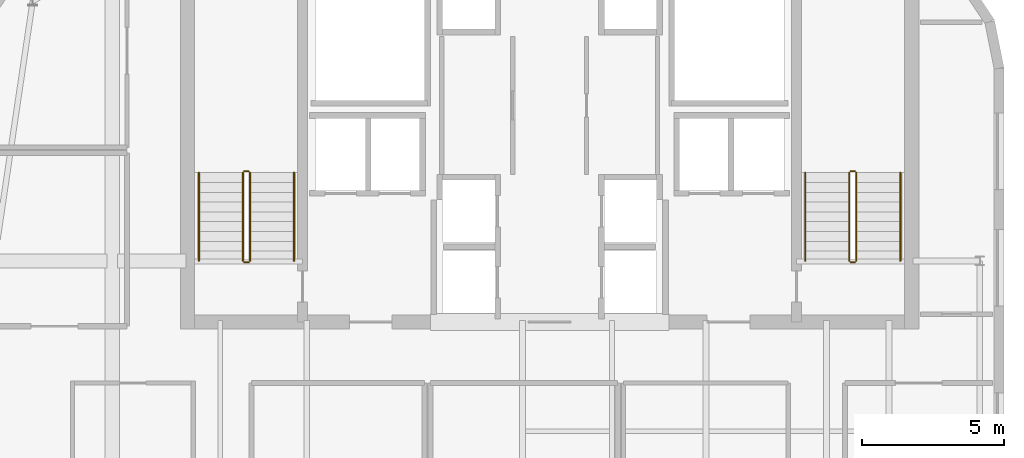
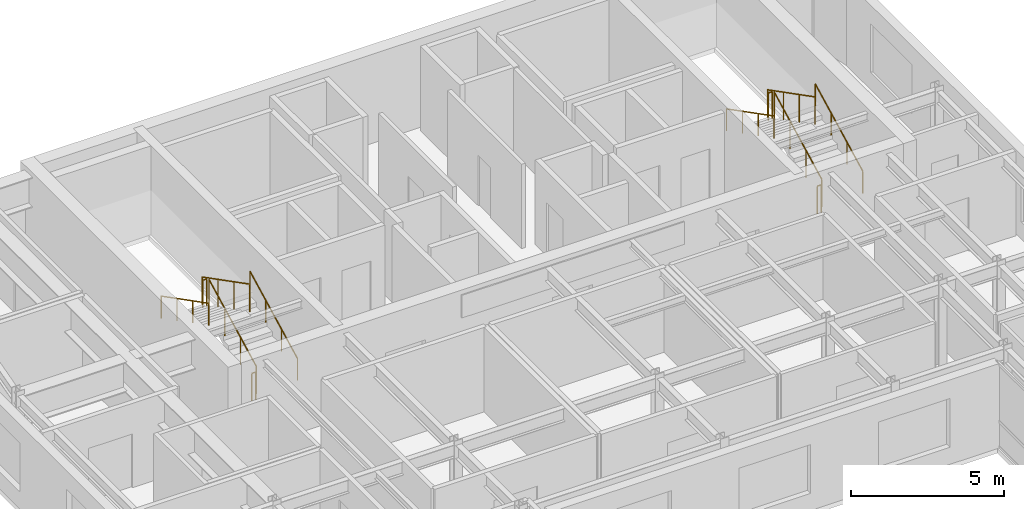
# One storey, part 18 of 18: 12 railings.
"""IFC4 building model written with IfcOpenShell, lengths in metres."""

from ifc_helpers import new_model, si_unit, direction, frame, origin, origin_2d, place, context, subcontext, project, spatial, circle, extrude, material, type_object, element, save


model = new_model("IFC4")

# Units and contexts
model_context = context("Model", 3, precision=1e-05, world=origin(), true_north=direction((0.0, 1.0)))
body_context = subcontext(model_context, "Body", "Model", "MODEL_VIEW")
ifc_project = project(units=[si_unit("LENGTHUNIT", "METRE"), si_unit("AREAUNIT", "SQUARE_METRE"), si_unit("VOLUMEUNIT", "CUBIC_METRE"), si_unit("PLANEANGLEUNIT", "RADIAN"), si_unit("MASSUNIT", "GRAM", prefix="KILO")], contexts=[model_context])

# Site, building, storey
site_placement = place(None, origin())
site = spatial("IfcSite", under=ifc_project, at=site_placement, CompositionType="ELEMENT")
building_placement = place(site_placement, origin())
building = spatial("IfcBuilding", under=site, at=building_placement, Name="Tolvann Quenvar Hotel", CompositionType="ELEMENT")
storey_placement = place(building_placement, frame((0.0, 0.0, 259.39990234375)))
storey = spatial("IfcBuildingStorey", under=building, at=storey_placement, Name="L69", CompositionType="ELEMENT", Elevation=259.39990234375)

# Railings
ifc_material = material(Name="Brushed 316 stainless steel balustrade and handrail", Category="steel")
railing_type_1 = type_object("IfcRailingType", Name="GUARDRAIL", PredefinedType="GUARDRAIL", material=ifc_material)
railing_1_placement = place(storey_placement, frame((12.449951171875, 34.0, 0.177490234375)))
element("IfcRailing", 1, at=railing_1_placement, inside=storey, type_object=railing_type_1, Name="L69 ST-C1 stair guard 1", PredefinedType="GUARDRAIL", context=body_context, shape_type="SweptSolid", body=[
    extrude(circle(Radius=0.02392578125, at=origin_2d()), frame((0.0, 0.0, 1.09619140625), z_axis=(0.0, 0.88919353882, 0.457531256332), x_axis=(-1.0, 0.0, 0.0)), (0.0, 0.0, 1.0), 3.491943359375),
    extrude(circle(Radius=0.02099609375, at=origin_2d()), origin(), (0.0, 0.0, 1.0), 1.072021484375),
    extrude(circle(Radius=0.02099609375, at=origin_2d()), frame((0.0, 1.034912109375, 0.532470703125)), (0.0, 0.0, 1.0), 1.072021484375),
    extrude(circle(Radius=0.02099609375, at=origin_2d()), frame((0.0, 2.070068359375, 1.065185546875)), (0.0, 0.0, 1.0), 1.072021484375),
    extrude(circle(Radius=0.02099609375, at=origin_2d()), frame((0.0, 3.10498046875, 1.59765625)), (0.0, 0.0, 1.0), 1.072021484375),
])
railing_2_placement = place(storey_placement, frame((12.39990234375, 37.155029296875, 1.775146484375)))
element("IfcRailing", 2, at=railing_2_placement, inside=storey, type_object=railing_type_1, Name="L69 ST-C1 stair guard 2", PredefinedType="GUARDRAIL", context=body_context, shape_type="SweptSolid", body=[
    extrude(circle(Radius=0.02392578125, at=origin_2d()), frame((0.0, 0.0, 1.09619140625), z_axis=(-1.0, 0.0, 0.0), x_axis=(0.0, -1.0, 0.0)), (0.0, 0.0, 1.0), 0.14990234375),
    extrude(circle(Radius=0.02099609375, at=origin_2d()), origin(), (0.0, 0.0, 1.0), 1.072021484375),
    extrude(circle(Radius=0.02099609375, at=origin_2d()), frame((-0.14990234375, 0.0, 0.0)), (0.0, 0.0, 1.0), 1.072021484375),
])
railing_3_placement = place(storey_placement, frame((12.199951171875, 37.10498046875, 1.95263671875)))
element("IfcRailing", 3, at=railing_3_placement, inside=storey, type_object=railing_type_1, Name="L69 ST-C1 stair guard 3", PredefinedType="GUARDRAIL", context=body_context, shape_type="SweptSolid", body=[
    extrude(circle(Radius=0.02392578125, at=origin_2d()), frame((0.0, 0.0, 1.09619140625), z_axis=(0.0, -0.889221982265, 0.45747597342), x_axis=(1.0, 0.0, 0.0)), (0.0, 0.0, 1.0), 3.49169921875),
    extrude(circle(Radius=0.02099609375, at=origin_2d()), origin(), (0.0, 0.0, 1.0), 1.072021484375),
    extrude(circle(Radius=0.02099609375, at=origin_2d()), frame((0.0, -1.034912109375, 0.532470703125)), (0.0, 0.0, 1.0), 1.072021484375),
    extrude(circle(Radius=0.02099609375, at=origin_2d()), frame((0.0, -2.070068359375, 1.06494140625)), (0.0, 0.0, 1.0), 1.072021484375),
    extrude(circle(Radius=0.02099609375, at=origin_2d()), frame((0.0, -3.10498046875, 1.597412109375)), (0.0, 0.0, 1.0), 1.072021484375),
])
railing_4_placement = place(storey_placement, frame((12.39990234375, 33.949951171875, 0.0)))
element("IfcRailing", 4, at=railing_4_placement, inside=storey, type_object=railing_type_1, Name="L69 ST-C1 stair guard 4", PredefinedType="GUARDRAIL", context=body_context, shape_type="SweptSolid", body=[
    extrude(circle(Radius=0.02392578125, at=origin_2d()), frame((0.0, 0.0, 1.09619140625), z_axis=(-1.0, 0.0, 0.0), x_axis=(0.0, -1.0, 0.0)), (0.0, 0.0, 1.0), 0.14990234375),
    extrude(circle(Radius=0.02099609375, at=origin_2d()), origin(), (0.0, 0.0, 1.0), 1.072021484375),
    extrude(circle(Radius=0.02099609375, at=origin_2d()), frame((-0.14990234375, 0.0, 0.0)), (0.0, 0.0, 1.0), 1.072021484375),
])
railing_5_placement = place(storey_placement, frame((33.800048828125, 34.0, 0.177490234375)))
element("IfcRailing", 5, at=railing_5_placement, inside=storey, type_object=railing_type_1, Name="L69 ST-C2 stair guard 1", PredefinedType="GUARDRAIL", context=body_context, shape_type="SweptSolid", body=[
    extrude(circle(Radius=0.02392578125, at=origin_2d()), frame((0.0, 0.0, 1.09619140625), z_axis=(0.0, 0.88919353882, 0.457531256332), x_axis=(-1.0, 0.0, 0.0)), (0.0, 0.0, 1.0), 3.491943359375),
    extrude(circle(Radius=0.02099609375, at=origin_2d()), origin(), (0.0, 0.0, 1.0), 1.072021484375),
    extrude(circle(Radius=0.02099609375, at=origin_2d()), frame((0.0, 1.034912109375, 0.532470703125)), (0.0, 0.0, 1.0), 1.072021484375),
    extrude(circle(Radius=0.02099609375, at=origin_2d()), frame((0.0, 2.070068359375, 1.065185546875)), (0.0, 0.0, 1.0), 1.072021484375),
    extrude(circle(Radius=0.02099609375, at=origin_2d()), frame((0.0, 3.10498046875, 1.59765625)), (0.0, 0.0, 1.0), 1.072021484375),
])
railing_6_placement = place(storey_placement, frame((33.75, 37.155029296875, 1.775146484375)))
element("IfcRailing", 6, at=railing_6_placement, inside=storey, type_object=railing_type_1, Name="L69 ST-C2 stair guard 2", PredefinedType="GUARDRAIL", context=body_context, shape_type="SweptSolid", body=[
    extrude(circle(Radius=0.02392578125, at=origin_2d()), frame((0.0, 0.0, 1.09619140625), z_axis=(-1.0, 0.0, 0.0), x_axis=(0.0, -1.0, 0.0)), (0.0, 0.0, 1.0), 0.14990234375),
    extrude(circle(Radius=0.02099609375, at=origin_2d()), origin(), (0.0, 0.0, 1.0), 1.072021484375),
    extrude(circle(Radius=0.02099609375, at=origin_2d()), frame((-0.14990234375, 0.0, 0.0)), (0.0, 0.0, 1.0), 1.072021484375),
])
railing_7_placement = place(storey_placement, frame((33.550048828125, 37.10498046875, 1.95263671875)))
element("IfcRailing", 7, at=railing_7_placement, inside=storey, type_object=railing_type_1, Name="L69 ST-C2 stair guard 3", PredefinedType="GUARDRAIL", context=body_context, shape_type="SweptSolid", body=[
    extrude(circle(Radius=0.02392578125, at=origin_2d()), frame((0.0, 0.0, 1.09619140625), z_axis=(0.0, -0.889221982265, 0.45747597342), x_axis=(1.0, 0.0, 0.0)), (0.0, 0.0, 1.0), 3.49169921875),
    extrude(circle(Radius=0.02099609375, at=origin_2d()), origin(), (0.0, 0.0, 1.0), 1.072021484375),
    extrude(circle(Radius=0.02099609375, at=origin_2d()), frame((0.0, -1.034912109375, 0.532470703125)), (0.0, 0.0, 1.0), 1.072021484375),
    extrude(circle(Radius=0.02099609375, at=origin_2d()), frame((0.0, -2.070068359375, 1.06494140625)), (0.0, 0.0, 1.0), 1.072021484375),
    extrude(circle(Radius=0.02099609375, at=origin_2d()), frame((0.0, -3.10498046875, 1.597412109375)), (0.0, 0.0, 1.0), 1.072021484375),
])
railing_8_placement = place(storey_placement, frame((33.75, 33.949951171875, 0.0)))
element("IfcRailing", 8, at=railing_8_placement, inside=storey, type_object=railing_type_1, Name="L69 ST-C2 stair guard 4", PredefinedType="GUARDRAIL", context=body_context, shape_type="SweptSolid", body=[
    extrude(circle(Radius=0.02392578125, at=origin_2d()), frame((0.0, 0.0, 1.09619140625), z_axis=(-1.0, 0.0, 0.0), x_axis=(0.0, -1.0, 0.0)), (0.0, 0.0, 1.0), 0.14990234375),
    extrude(circle(Radius=0.02099609375, at=origin_2d()), origin(), (0.0, 0.0, 1.0), 1.072021484375),
    extrude(circle(Radius=0.02099609375, at=origin_2d()), frame((-0.14990234375, 0.0, 0.0)), (0.0, 0.0, 1.0), 1.072021484375),
])
railing_type_2 = type_object("IfcRailingType", Name="HANDRAIL", PredefinedType="HANDRAIL", material=ifc_material)
railing_9_placement = place(storey_placement, frame((14.0, 34.0, 0.177490234375)))
element("IfcRailing", 9, at=railing_9_placement, inside=storey, type_object=railing_type_2, Name="L69 ST-C1 stair handrail 1", PredefinedType="HANDRAIL", context=body_context, shape_type="SweptSolid", body=[
    extrude(circle(Radius=0.02392578125, at=origin_2d()), frame((0.0, 0.0, 0.8759765625), z_axis=(0.0, 0.88919353882, 0.457531256332), x_axis=(-1.0, 0.0, 0.0)), (0.0, 0.0, 1.0), 3.491943359375),
    extrude(circle(Radius=0.02099609375, at=origin_2d()), origin(), (0.0, 0.0, 1.0), 0.851806640625),
    extrude(circle(Radius=0.02099609375, at=origin_2d()), frame((0.0, 1.034912109375, 0.532470703125)), (0.0, 0.0, 1.0), 0.851806640625),
    extrude(circle(Radius=0.02099609375, at=origin_2d()), frame((0.0, 2.070068359375, 1.065185546875)), (0.0, 0.0, 1.0), 0.851806640625),
    extrude(circle(Radius=0.02099609375, at=origin_2d()), frame((0.0, 3.10498046875, 1.59765625)), (0.0, 0.0, 1.0), 0.851806640625),
])
railing_10_placement = place(storey_placement, frame((10.64990234375, 37.10498046875, 1.95263671875)))
element("IfcRailing", 10, at=railing_10_placement, inside=storey, type_object=railing_type_2, Name="L69 ST-C1 stair handrail 2", PredefinedType="HANDRAIL", context=body_context, shape_type="SweptSolid", body=[
    extrude(circle(Radius=0.02392578125, at=origin_2d()), frame((0.0, 0.0, 0.8759765625), z_axis=(0.0, -0.889221982265, 0.45747597342), x_axis=(1.0, 0.0, 0.0)), (0.0, 0.0, 1.0), 3.49169921875),
    extrude(circle(Radius=0.02099609375, at=origin_2d()), origin(), (0.0, 0.0, 1.0), 0.851806640625),
    extrude(circle(Radius=0.02099609375, at=origin_2d()), frame((0.0, -1.034912109375, 0.532470703125)), (0.0, 0.0, 1.0), 0.851806640625),
    extrude(circle(Radius=0.02099609375, at=origin_2d()), frame((0.0, -2.070068359375, 1.06494140625)), (0.0, 0.0, 1.0), 0.851806640625),
    extrude(circle(Radius=0.02099609375, at=origin_2d()), frame((0.0, -3.10498046875, 1.597412109375)), (0.0, 0.0, 1.0), 0.851806640625),
])
railing_11_placement = place(storey_placement, frame((35.35009765625, 34.0, 0.177490234375)))
element("IfcRailing", 11, at=railing_11_placement, inside=storey, type_object=railing_type_2, Name="L69 ST-C2 stair handrail 1", PredefinedType="HANDRAIL", context=body_context, shape_type="SweptSolid", body=[
    extrude(circle(Radius=0.02392578125, at=origin_2d()), frame((0.0, 0.0, 0.8759765625), z_axis=(0.0, 0.88919353882, 0.457531256332), x_axis=(-1.0, 0.0, 0.0)), (0.0, 0.0, 1.0), 3.491943359375),
    extrude(circle(Radius=0.02099609375, at=origin_2d()), origin(), (0.0, 0.0, 1.0), 0.851806640625),
    extrude(circle(Radius=0.02099609375, at=origin_2d()), frame((0.0, 1.034912109375, 0.532470703125)), (0.0, 0.0, 1.0), 0.851806640625),
    extrude(circle(Radius=0.02099609375, at=origin_2d()), frame((0.0, 2.070068359375, 1.065185546875)), (0.0, 0.0, 1.0), 0.851806640625),
    extrude(circle(Radius=0.02099609375, at=origin_2d()), frame((0.0, 3.10498046875, 1.59765625)), (0.0, 0.0, 1.0), 0.851806640625),
])
railing_12_placement = place(storey_placement, frame((32.0, 37.10498046875, 1.95263671875)))
element("IfcRailing", 12, at=railing_12_placement, inside=storey, type_object=railing_type_2, Name="L69 ST-C2 stair handrail 2", PredefinedType="HANDRAIL", context=body_context, shape_type="SweptSolid", body=[
    extrude(circle(Radius=0.02392578125, at=origin_2d()), frame((0.0, 0.0, 0.8759765625), z_axis=(0.0, -0.889221982265, 0.45747597342), x_axis=(1.0, 0.0, 0.0)), (0.0, 0.0, 1.0), 3.49169921875),
    extrude(circle(Radius=0.02099609375, at=origin_2d()), origin(), (0.0, 0.0, 1.0), 0.851806640625),
    extrude(circle(Radius=0.02099609375, at=origin_2d()), frame((0.0, -1.034912109375, 0.532470703125)), (0.0, 0.0, 1.0), 0.851806640625),
    extrude(circle(Radius=0.02099609375, at=origin_2d()), frame((0.0, -2.070068359375, 1.06494140625)), (0.0, 0.0, 1.0), 0.851806640625),
    extrude(circle(Radius=0.02099609375, at=origin_2d()), frame((0.0, -3.10498046875, 1.597412109375)), (0.0, 0.0, 1.0), 0.851806640625),
])

save(model, "model.ifc")
